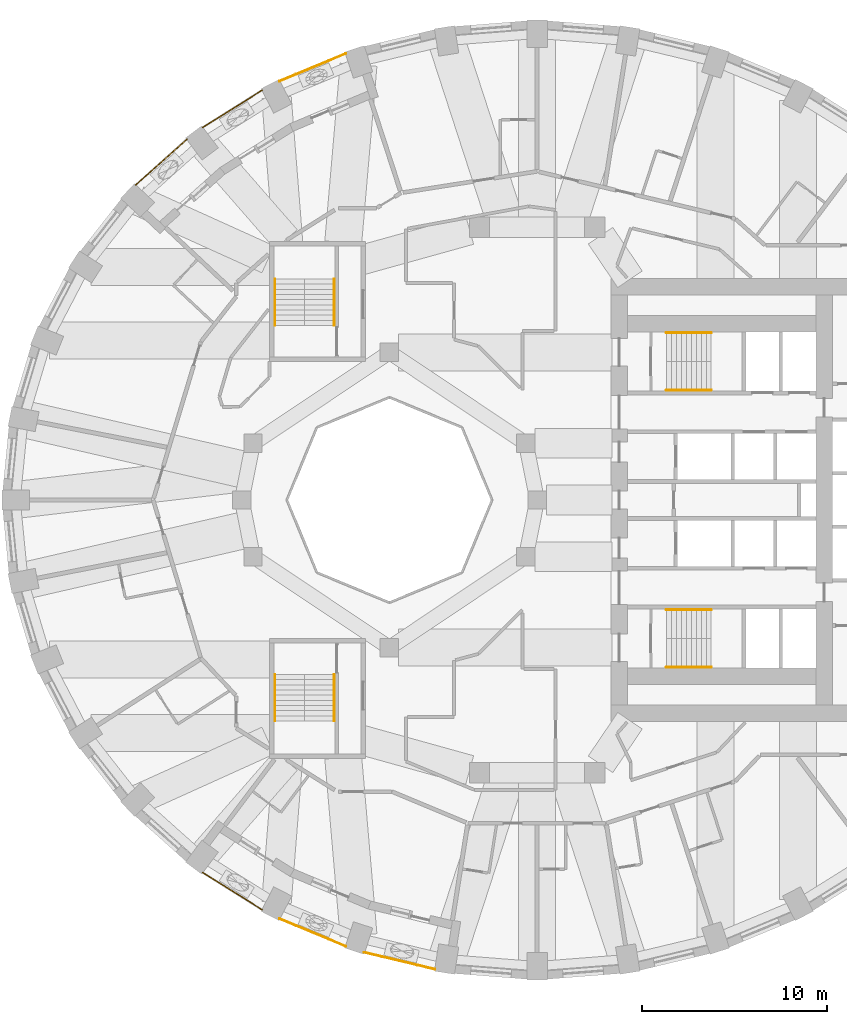
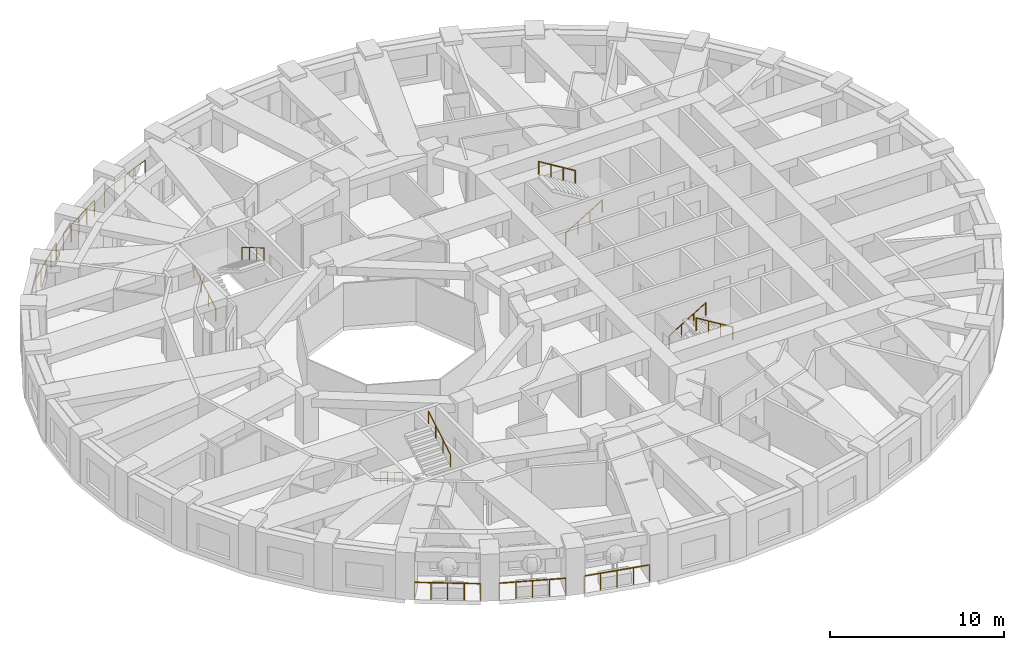
# One storey, part 11 of 13: 14 railings.
"""IFC4 building model written with IfcOpenShell, lengths in metres."""

from ifc_helpers import new_model, si_unit, direction, frame, origin, origin_2d, place, context, subcontext, project, spatial, circle, extrude, material, type_object, element, save


model = new_model("IFC4")

# Units and contexts
model_context = context("Model", 3, precision=1e-05, world=origin(), true_north=direction((0.0, 1.0)))
body_context = subcontext(model_context, "Body", "Model", "MODEL_VIEW")
ifc_project = project(units=[si_unit("LENGTHUNIT", "METRE"), si_unit("AREAUNIT", "SQUARE_METRE"), si_unit("VOLUMEUNIT", "CUBIC_METRE"), si_unit("PLANEANGLEUNIT", "RADIAN"), si_unit("MASSUNIT", "GRAM", prefix="KILO")], contexts=[model_context])

# Site, building, storey
site_placement = place(None, origin())
site = spatial("IfcSite", under=ifc_project, at=site_placement, CompositionType="ELEMENT")
building_placement = place(site_placement, origin())
building = spatial("IfcBuilding", under=site, at=building_placement, Name="Taillehof Tower", CompositionType="ELEMENT")
storey_placement = place(building_placement, frame((0.0, 0.0, 41.5)))
storey = spatial("IfcBuildingStorey", under=building, at=storey_placement, Name="L10", CompositionType="ELEMENT", Elevation=41.5)

# Railings
ifc_material_1 = material(Name="Stainless steel balustrade", Category="steel")
railing_type_1 = type_object("IfcRailingType", Name="Balcony guard 1200", PredefinedType="GUARDRAIL", material=ifc_material_1)
railing_1_placement = place(storey_placement, frame((-18.12255859375, -20.176025390625, 0.0)))
element("IfcRailing", 1, at=railing_1_placement, inside=storey, type_object=railing_type_1, Name="Balcony guard L10 bay 24", PredefinedType="GUARDRAIL", context=body_context, shape_type="SweptSolid", body=[
    extrude(circle(Radius=0.02392578125, at=origin_2d()), frame((0.0, 0.0, 1.17578125), z_axis=(0.847656150947, -0.530545992127, 0.0), x_axis=(0.530545992127, 0.847656150947, 0.0)), (0.0, 0.0, 1.0), 3.810302734375),
    extrude(circle(Radius=0.02099609375, at=origin_2d()), origin(), (0.0, 0.0, 1.0), 1.15185546875),
    extrude(circle(Radius=0.02099609375, at=origin_2d()), frame((0.807373046875, -0.50537109375, 0.0)), (0.0, 0.0, 1.0), 1.15185546875),
    extrude(circle(Radius=0.02099609375, at=origin_2d()), frame((1.61474609375, -1.0107421875, 0.0)), (0.0, 0.0, 1.0), 1.15185546875),
    extrude(circle(Radius=0.02099609375, at=origin_2d()), frame((2.42236328125, -1.51611328125, 0.0)), (0.0, 0.0, 1.0), 1.15185546875),
    extrude(circle(Radius=0.02099609375, at=origin_2d()), frame((3.229736328125, -2.021484375, 0.0)), (0.0, 0.0, 1.0), 1.15185546875),
])
railing_2_placement = place(storey_placement, frame((-13.951171875, -22.684326171875, 0.0)))
element("IfcRailing", 2, at=railing_2_placement, inside=storey, type_object=railing_type_1, Name="Balcony guard L10 bay 25", PredefinedType="GUARDRAIL", context=body_context, shape_type="SweptSolid", body=[
    extrude(circle(Radius=0.02392578125, at=origin_2d()), frame((0.0, 0.0, 1.17578125), z_axis=(0.923011806559, -0.384771627011, 0.0), x_axis=(0.384771627011, 0.923011806559, 0.0)), (0.0, 0.0, 1.0), 3.88330078125),
    extrude(circle(Radius=0.02099609375, at=origin_2d()), origin(), (0.0, 0.0, 1.0), 1.15185546875),
    extrude(circle(Radius=0.02099609375, at=origin_2d()), frame((0.89599609375, -0.37353515625, 0.0)), (0.0, 0.0, 1.0), 1.15185546875),
    extrude(circle(Radius=0.02099609375, at=origin_2d()), frame((1.7919921875, -0.7470703125, 0.0)), (0.0, 0.0, 1.0), 1.15185546875),
    extrude(circle(Radius=0.02099609375, at=origin_2d()), frame((2.688232421875, -1.12060546875, 0.0)), (0.0, 0.0, 1.0), 1.15185546875),
    extrude(circle(Radius=0.02099609375, at=origin_2d()), frame((3.584228515625, -1.494140625, 0.0)), (0.0, 0.0, 1.0), 1.15185546875),
])
railing_3_placement = place(storey_placement, frame((-9.35888671875, -24.5068359375, 0.0)))
element("IfcRailing", 3, at=railing_3_placement, inside=storey, type_object=railing_type_1, Name="Balcony guard L10 bay 26", PredefinedType="GUARDRAIL", context=body_context, shape_type="SweptSolid", body=[
    extrude(circle(Radius=0.02392578125, at=origin_2d()), frame((0.0, 0.0, 1.17578125), z_axis=(0.972495275648, -0.232922602687, 0.0), x_axis=(0.232922602687, 0.972495275648, 0.0)), (0.0, 0.0, 1.0), 3.93701171875),
    extrude(circle(Radius=0.02099609375, at=origin_2d()), origin(), (0.0, 0.0, 1.0), 1.15185546875),
    extrude(circle(Radius=0.02099609375, at=origin_2d()), frame((0.95703125, -0.229248046875, 0.0)), (0.0, 0.0, 1.0), 1.15185546875),
    extrude(circle(Radius=0.02099609375, at=origin_2d()), frame((1.914306640625, -0.45849609375, 0.0)), (0.0, 0.0, 1.0), 1.15185546875),
    extrude(circle(Radius=0.02099609375, at=origin_2d()), frame((2.87158203125, -0.687744140625, 0.0)), (0.0, 0.0, 1.0), 1.15185546875),
    extrude(circle(Radius=0.02099609375, at=origin_2d()), frame((3.82861328125, -0.9169921875, 0.0)), (0.0, 0.0, 1.0), 1.15185546875),
])
railing_4_placement = place(storey_placement, frame((-10.366943359375, 24.178466796875, 0.0)))
element("IfcRailing", 4, at=railing_4_placement, inside=storey, type_object=railing_type_1, Name="Balcony guard L10 bay 12", PredefinedType="GUARDRAIL", context=body_context, shape_type="SweptSolid", body=[
    extrude(circle(Radius=0.02392578125, at=origin_2d()), frame((0.0, 0.0, 1.17578125), z_axis=(-0.923011806559, -0.384771627011, 0.0), x_axis=(0.384771627011, -0.923011806559, 0.0)), (0.0, 0.0, 1.0), 3.88330078125),
    extrude(circle(Radius=0.02099609375, at=origin_2d()), origin(), (0.0, 0.0, 1.0), 1.15185546875),
    extrude(circle(Radius=0.02099609375, at=origin_2d()), frame((-0.89599609375, -0.37353515625, 0.0)), (0.0, 0.0, 1.0), 1.15185546875),
    extrude(circle(Radius=0.02099609375, at=origin_2d()), frame((-1.7919921875, -0.7470703125, 0.0)), (0.0, 0.0, 1.0), 1.15185546875),
    extrude(circle(Radius=0.02099609375, at=origin_2d()), frame((-2.688232421875, -1.12060546875, 0.0)), (0.0, 0.0, 1.0), 1.15185546875),
    extrude(circle(Radius=0.02099609375, at=origin_2d()), frame((-3.584228515625, -1.494140625, 0.0)), (0.0, 0.0, 1.0), 1.15185546875),
])
railing_5_placement = place(storey_placement, frame((-14.892822265625, 22.197509765625, 0.0)))
element("IfcRailing", 5, at=railing_5_placement, inside=storey, type_object=railing_type_1, Name="Balcony guard L10 bay 13", PredefinedType="GUARDRAIL", context=body_context, shape_type="SweptSolid", body=[
    extrude(circle(Radius=0.02392578125, at=origin_2d()), frame((0.0, 0.0, 1.17578125), z_axis=(-0.847656150947, -0.530545992127, 0.0), x_axis=(0.530545992127, -0.847656150947, 0.0)), (0.0, 0.0, 1.0), 3.810302734375),
    extrude(circle(Radius=0.02099609375, at=origin_2d()), origin(), (0.0, 0.0, 1.0), 1.15185546875),
    extrude(circle(Radius=0.02099609375, at=origin_2d()), frame((-0.807373046875, -0.50537109375, 0.0)), (0.0, 0.0, 1.0), 1.15185546875),
    extrude(circle(Radius=0.02099609375, at=origin_2d()), frame((-1.61474609375, -1.0107421875, 0.0)), (0.0, 0.0, 1.0), 1.15185546875),
    extrude(circle(Radius=0.02099609375, at=origin_2d()), frame((-2.42236328125, -1.51611328125, 0.0)), (0.0, 0.0, 1.0), 1.15185546875),
    extrude(circle(Radius=0.02099609375, at=origin_2d()), frame((-3.229736328125, -2.021484375, 0.0)), (0.0, 0.0, 1.0), 1.15185546875),
])
railing_6_placement = place(storey_placement, frame((-18.969970703125, 19.539306640625, 0.0)))
element("IfcRailing", 6, at=railing_6_placement, inside=storey, type_object=railing_type_1, Name="Balcony guard L10 bay 14", PredefinedType="GUARDRAIL", context=body_context, shape_type="SweptSolid", body=[
    extrude(circle(Radius=0.02392578125, at=origin_2d()), frame((0.0, 0.0, 1.17578125), z_axis=(-0.745548021299, -0.666451909696, 0.0), x_axis=(0.666451909696, -0.745548021299, 0.0)), (0.0, 0.0, 1.0), 3.7255859375),
    extrude(circle(Radius=0.02099609375, at=origin_2d()), origin(), (0.0, 0.0, 1.0), 1.15185546875),
    extrude(circle(Radius=0.02099609375, at=origin_2d()), frame((-0.6943359375, -0.62060546875, 0.0)), (0.0, 0.0, 1.0), 1.15185546875),
    extrude(circle(Radius=0.02099609375, at=origin_2d()), frame((-1.388671875, -1.241455078125, 0.0)), (0.0, 0.0, 1.0), 1.15185546875),
    extrude(circle(Radius=0.02099609375, at=origin_2d()), frame((-2.083251953125, -1.8623046875, 0.0)), (0.0, 0.0, 1.0), 1.15185546875),
    extrude(circle(Radius=0.02099609375, at=origin_2d()), frame((-2.777587890625, -2.48291015625, 0.0)), (0.0, 0.0, 1.0), 1.15185546875),
])
ifc_material_2 = material(Name="Stainless steel", Category="steel")
railing_type_2 = type_object("IfcRailingType", Name="Stair handrail 900", PredefinedType="HANDRAIL", material=ifc_material_2)
railing_7_placement = place(storey_placement, frame((7.0, 5.949951171875, 0.1650390625)))
element("IfcRailing", 7, at=railing_7_placement, inside=storey, type_object=railing_type_2, Name="Stair S1 handrail", PredefinedType="HANDRAIL", context=body_context, shape_type="SweptSolid", body=[
    extrude(circle(Radius=0.02392578125, at=origin_2d()), frame((0.0, 0.0, 0.8759765625), z_axis=(0.853296667938, 0.0, 0.521425734392), x_axis=(0.0, 1.0, 0.0)), (0.0, 0.0, 1.0), 2.84765625),
    extrude(circle(Radius=0.02099609375, at=origin_2d()), origin(), (0.0, 0.0, 1.0), 0.851806640625),
    extrude(circle(Radius=0.02099609375, at=origin_2d()), frame((0.81005859375, 0.0, 0.494873046875)), (0.0, 0.0, 1.0), 0.851806640625),
    extrude(circle(Radius=0.02099609375, at=origin_2d()), frame((1.619873046875, 0.0, 0.989990234375)), (0.0, 0.0, 1.0), 0.851806640625),
    extrude(circle(Radius=0.02099609375, at=origin_2d()), frame((2.429931640625, 0.0, 1.48486328125)), (0.0, 0.0, 1.0), 0.851806640625),
])
railing_8_placement = place(storey_placement, frame((9.429931640625, 9.050048828125, 1.81494140625)))
element("IfcRailing", 8, at=railing_8_placement, inside=storey, type_object=railing_type_2, Name="Stair S1 handrail", PredefinedType="HANDRAIL", context=body_context, shape_type="SweptSolid", body=[
    extrude(circle(Radius=0.02392578125, at=origin_2d()), frame((0.0, 0.0, 0.8759765625), z_axis=(-0.853258522278, 0.0, 0.521488153423), x_axis=(0.0, -1.0, 0.0)), (0.0, 0.0, 1.0), 2.847900390625),
    extrude(circle(Radius=0.02099609375, at=origin_2d()), origin(), (0.0, 0.0, 1.0), 0.851806640625),
    extrude(circle(Radius=0.02099609375, at=origin_2d()), frame((-0.81005859375, 0.0, 0.4951171875)), (0.0, 0.0, 1.0), 0.851806640625),
    extrude(circle(Radius=0.02099609375, at=origin_2d()), frame((-1.619873046875, 0.0, 0.989990234375)), (0.0, 0.0, 1.0), 0.851806640625),
    extrude(circle(Radius=0.02099609375, at=origin_2d()), frame((-2.429931640625, 0.0, 1.485107421875)), (0.0, 0.0, 1.0), 0.851806640625),
])
railing_9_placement = place(storey_placement, frame((7.0, -5.949951171875, 0.1650390625)))
element("IfcRailing", 9, at=railing_9_placement, inside=storey, type_object=railing_type_2, Name="Stair S2 handrail", PredefinedType="HANDRAIL", context=body_context, shape_type="SweptSolid", body=[
    extrude(circle(Radius=0.02392578125, at=origin_2d()), frame((0.0, 0.0, 0.8759765625), z_axis=(0.853296667938, 0.0, 0.521425734392), x_axis=(0.0, 1.0, 0.0)), (0.0, 0.0, 1.0), 2.84765625),
    extrude(circle(Radius=0.02099609375, at=origin_2d()), origin(), (0.0, 0.0, 1.0), 0.851806640625),
    extrude(circle(Radius=0.02099609375, at=origin_2d()), frame((0.81005859375, 0.0, 0.494873046875)), (0.0, 0.0, 1.0), 0.851806640625),
    extrude(circle(Radius=0.02099609375, at=origin_2d()), frame((1.619873046875, 0.0, 0.989990234375)), (0.0, 0.0, 1.0), 0.851806640625),
    extrude(circle(Radius=0.02099609375, at=origin_2d()), frame((2.429931640625, 0.0, 1.48486328125)), (0.0, 0.0, 1.0), 0.851806640625),
])
railing_10_placement = place(storey_placement, frame((9.429931640625, -9.050048828125, 1.81494140625)))
element("IfcRailing", 10, at=railing_10_placement, inside=storey, type_object=railing_type_2, Name="Stair S2 handrail", PredefinedType="HANDRAIL", context=body_context, shape_type="SweptSolid", body=[
    extrude(circle(Radius=0.02392578125, at=origin_2d()), frame((0.0, 0.0, 0.8759765625), z_axis=(-0.853258522278, 0.0, 0.521488153423), x_axis=(0.0, -1.0, 0.0)), (0.0, 0.0, 1.0), 2.847900390625),
    extrude(circle(Radius=0.02099609375, at=origin_2d()), origin(), (0.0, 0.0, 1.0), 0.851806640625),
    extrude(circle(Radius=0.02099609375, at=origin_2d()), frame((-0.81005859375, 0.0, 0.4951171875)), (0.0, 0.0, 1.0), 0.851806640625),
    extrude(circle(Radius=0.02099609375, at=origin_2d()), frame((-1.619873046875, 0.0, 0.989990234375)), (0.0, 0.0, 1.0), 0.851806640625),
    extrude(circle(Radius=0.02099609375, at=origin_2d()), frame((-2.429931640625, 0.0, 1.485107421875)), (0.0, 0.0, 1.0), 0.851806640625),
])
railing_11_placement = place(storey_placement, frame((-14.199951171875, 9.449951171875, 0.1650390625)))
element("IfcRailing", 11, at=railing_11_placement, inside=storey, type_object=railing_type_2, Name="Stair S3 handrail", PredefinedType="HANDRAIL", context=body_context, shape_type="SweptSolid", body=[
    extrude(circle(Radius=0.02392578125, at=origin_2d()), frame((0.0, 0.0, 0.8759765625), z_axis=(0.0, 0.861560626758, 0.507654692109), x_axis=(-1.0, 0.0, 0.0)), (0.0, 0.0, 1.0), 2.925048828125),
    extrude(circle(Radius=0.02099609375, at=origin_2d()), origin(), (0.0, 0.0, 1.0), 0.851806640625),
    extrude(circle(Radius=0.02099609375, at=origin_2d()), frame((0.0, 0.840087890625, 0.494873046875)), (0.0, 0.0, 1.0), 0.851806640625),
    extrude(circle(Radius=0.02099609375, at=origin_2d()), frame((0.0, 1.679931640625, 0.989990234375)), (0.0, 0.0, 1.0), 0.851806640625),
    extrude(circle(Radius=0.02099609375, at=origin_2d()), frame((0.0, 2.52001953125, 1.48486328125)), (0.0, 0.0, 1.0), 0.851806640625),
])
railing_12_placement = place(storey_placement, frame((-11.0, 11.969970703125, 1.81494140625)))
element("IfcRailing", 12, at=railing_12_placement, inside=storey, type_object=railing_type_2, Name="Stair S3 handrail", PredefinedType="HANDRAIL", context=body_context, shape_type="SweptSolid", body=[
    extrude(circle(Radius=0.02392578125, at=origin_2d()), frame((0.0, 0.0, 0.8759765625), z_axis=(0.0, -0.86152411907, 0.507716645641), x_axis=(1.0, 0.0, 0.0)), (0.0, 0.0, 1.0), 2.925048828125),
    extrude(circle(Radius=0.02099609375, at=origin_2d()), origin(), (0.0, 0.0, 1.0), 0.851806640625),
    extrude(circle(Radius=0.02099609375, at=origin_2d()), frame((0.0, -0.840087890625, 0.4951171875)), (0.0, 0.0, 1.0), 0.851806640625),
    extrude(circle(Radius=0.02099609375, at=origin_2d()), frame((0.0, -1.679931640625, 0.989990234375)), (0.0, 0.0, 1.0), 0.851806640625),
    extrude(circle(Radius=0.02099609375, at=origin_2d()), frame((0.0, -2.52001953125, 1.485107421875)), (0.0, 0.0, 1.0), 0.851806640625),
])
railing_13_placement = place(storey_placement, frame((-14.199951171875, -9.449951171875, 0.1650390625)))
element("IfcRailing", 13, at=railing_13_placement, inside=storey, type_object=railing_type_2, Name="Stair S4 handrail", PredefinedType="HANDRAIL", context=body_context, shape_type="SweptSolid", body=[
    extrude(circle(Radius=0.02392578125, at=origin_2d()), frame((0.0, 0.0, 0.8759765625), z_axis=(0.0, -0.861560626758, 0.507654692109), x_axis=(1.0, 0.0, 0.0)), (0.0, 0.0, 1.0), 2.925048828125),
    extrude(circle(Radius=0.02099609375, at=origin_2d()), origin(), (0.0, 0.0, 1.0), 0.851806640625),
    extrude(circle(Radius=0.02099609375, at=origin_2d()), frame((0.0, -0.840087890625, 0.494873046875)), (0.0, 0.0, 1.0), 0.851806640625),
    extrude(circle(Radius=0.02099609375, at=origin_2d()), frame((0.0, -1.679931640625, 0.989990234375)), (0.0, 0.0, 1.0), 0.851806640625),
    extrude(circle(Radius=0.02099609375, at=origin_2d()), frame((0.0, -2.52001953125, 1.48486328125)), (0.0, 0.0, 1.0), 0.851806640625),
])
railing_14_placement = place(storey_placement, frame((-11.0, -11.969970703125, 1.81494140625)))
element("IfcRailing", 14, at=railing_14_placement, inside=storey, type_object=railing_type_2, Name="Stair S4 handrail", PredefinedType="HANDRAIL", context=body_context, shape_type="SweptSolid", body=[
    extrude(circle(Radius=0.02392578125, at=origin_2d()), frame((0.0, 0.0, 0.8759765625), z_axis=(0.0, 0.86152411907, 0.507716645641), x_axis=(-1.0, 0.0, 0.0)), (0.0, 0.0, 1.0), 2.925048828125),
    extrude(circle(Radius=0.02099609375, at=origin_2d()), origin(), (0.0, 0.0, 1.0), 0.851806640625),
    extrude(circle(Radius=0.02099609375, at=origin_2d()), frame((0.0, 0.840087890625, 0.4951171875)), (0.0, 0.0, 1.0), 0.851806640625),
    extrude(circle(Radius=0.02099609375, at=origin_2d()), frame((0.0, 1.679931640625, 0.989990234375)), (0.0, 0.0, 1.0), 0.851806640625),
    extrude(circle(Radius=0.02099609375, at=origin_2d()), frame((0.0, 2.52001953125, 1.485107421875)), (0.0, 0.0, 1.0), 0.851806640625),
])

save(model, "model.ifc")
